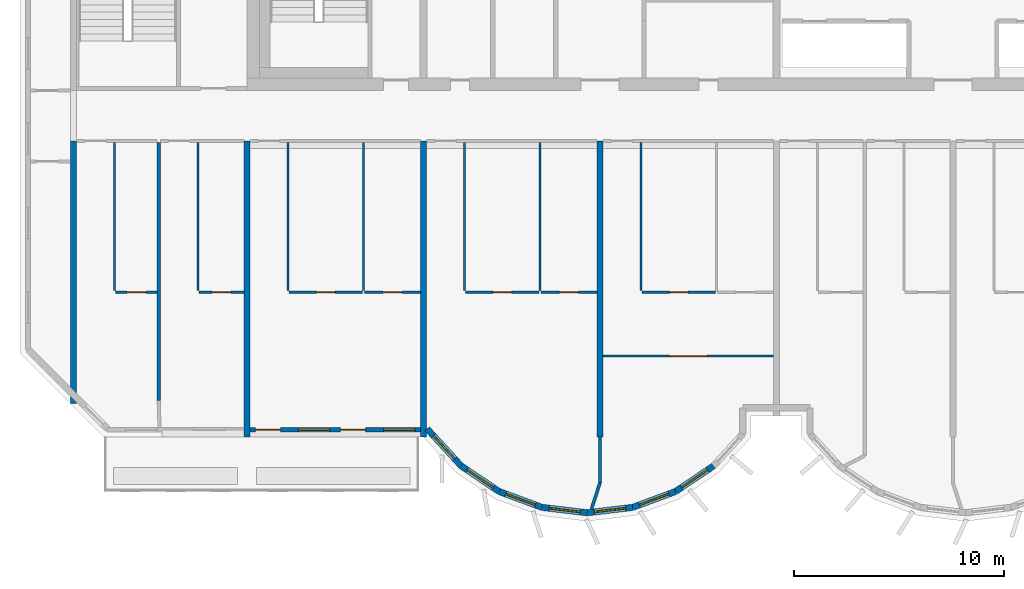
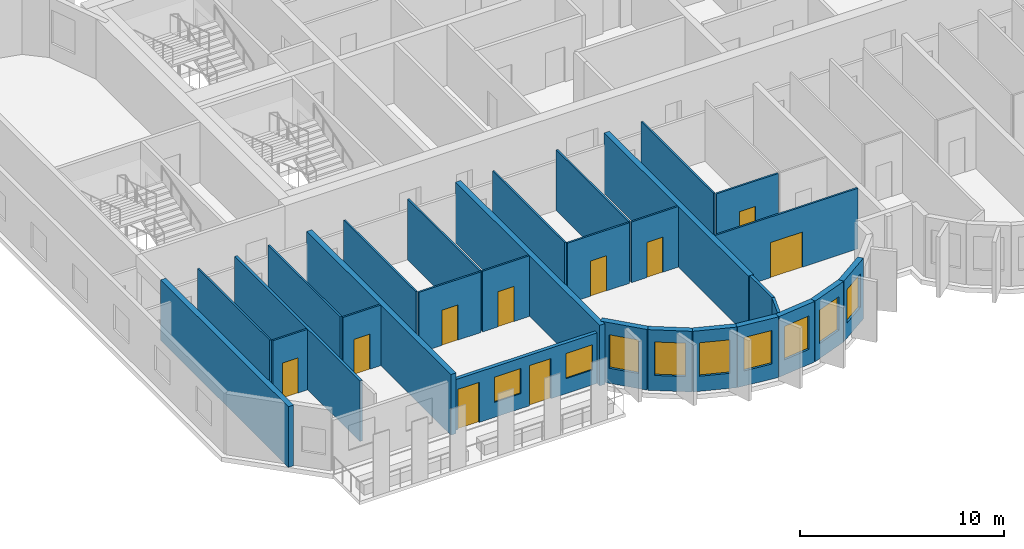
# One storey, part 2 of 11: 30 walls, 10 doors, 9 windows, 19 openings.
"""IFC4 building model written with IfcOpenShell, lengths in metres."""

from ifc_helpers import new_model, si_unit, direction, frame, frame_2d, origin, place, context, subcontext, project, spatial, rectangle, extrude, source, transform, mapped, material, layer, layer_set, type_object, element, fill, save


model = new_model("IFC4")

# Units and contexts
model_context = context("Model", 3, precision=1e-05, world=origin(), true_north=direction((0.0, 1.0)))
body_context = subcontext(model_context, "Body", "Model", "MODEL_VIEW")
ifc_project = project(units=[si_unit("LENGTHUNIT", "METRE"), si_unit("AREAUNIT", "SQUARE_METRE"), si_unit("VOLUMEUNIT", "CUBIC_METRE"), si_unit("PLANEANGLEUNIT", "RADIAN"), si_unit("MASSUNIT", "GRAM", prefix="KILO")], contexts=[model_context])

# Site, building, storey
site_placement = place(None, origin())
site = spatial("IfcSite", under=ifc_project, at=site_placement, CompositionType="ELEMENT")
building_placement = place(site_placement, origin())
building = spatial("IfcBuilding", under=site, at=building_placement, Name="Vanashikhar Sky Hotel", CompositionType="ELEMENT")
storey_placement = place(building_placement, frame((0.0, 0.0, 217.89990234375)))
storey = spatial("IfcBuildingStorey", under=building, at=storey_placement, Name="L52", CompositionType="ELEMENT", Elevation=217.89990234375)

# Walls
ifc_material_1 = material(Name="Concrete M60", Category="concrete")
ifc_layer_1 = layer(ifc_material_1, 0.300048828125)
ifc_layer_set_1 = layer_set([ifc_layer_1], Name="RC shear wall 300 Concrete M60")
wall_type_1 = type_object("IfcWallType", Name="RC shear wall 300 Concrete M60", PredefinedType="SHEAR", material=ifc_layer_set_1)
shared_shape_1 = source(origin(), body_context, "Body", "SweptSolid", [
    extrude(rectangle(XDim=12.5, YDim=0.300048828125, at=frame_2d((6.25, 0.0))), origin(), (0.0, 0.0, 1.0), 3.6201171875),
])
wall_1_placement = place(storey_placement, frame((16.949951171875, 7.10009765625, 0.0), z_axis=(0.0, 0.0, 1.0), x_axis=(0.0, 1.0, 0.0)))
element("IfcWall", 1, at=wall_1_placement, inside=storey, type_object=wall_type_1, Name="CW-L52-XW03-1", PredefinedType="SHEAR", context=body_context, shape_type="MappedRepresentation", body=[
    mapped(shared_shape_1, transform((0.0, 0.0, 0.0), scale=1.0)),
])
shared_shape_2 = source(origin(), body_context, "Body", "SweptSolid", [
    extrude(rectangle(XDim=14.10009765625, YDim=0.300048828125, at=frame_2d((7.050048828125, 0.0))), origin(), (0.0, 0.0, 1.0), 3.6201171875),
])
for number, where, z_axis, x_axis, name in (
    (2, (25.199951171875, 5.5, 0.0), (0.0, 0.0, 1.0), (0.0, 1.0, 0.0), "CW-L52-XW04-1"),
    (3, (33.60009765625, 5.5, 0.0), (0.0, 0.0, 1.0), (0.0, 1.0, 0.0), "CW-L52-XW05-1"),
    (4, (42.0, 5.5, 0.0), (0.0, 0.0, 1.0), (0.0, 1.0, 0.0), "CW-L52-XW06-1"),
):
    element("IfcWall", number, at=place(storey_placement, frame(where, z_axis=z_axis, x_axis=x_axis)), inside=storey, type_object=wall_type_1, Name=name, PredefinedType="SHEAR", context=body_context, shape_type="MappedRepresentation", body=[
        mapped(shared_shape_2, transform((0.0, 0.0, 0.0), scale=1.0)),
    ])

# Wall, openings, windows, doors
ifc_material_2 = material(Name="Concrete M50", Category="concrete")
ifc_layer_2 = layer(ifc_material_2, 0.199951171875)
ifc_layer_set_2 = layer_set([ifc_layer_2], Name="Front window wall 200")
wall_type_2 = type_object("IfcWallType", Name="Front window wall 200", PredefinedType="SOLIDWALL", material=ifc_layer_set_2)
shared_shape_3 = source(origin(), body_context, "Body", "SweptSolid", [
    extrude(rectangle(XDim=8.099853515625, YDim=0.199951171875, at=frame_2d((4.0498046875, 0.0))), origin(), (0.0, 0.0, 1.0), 3.02001953125),
])
wall_2_placement = place(storey_placement, frame((25.35009765625, 5.85009765625, 0.0), z_axis=(0.0, 0.0, 1.0), x_axis=(1.0, 0.0, 0.0)))
wall_2 = element("IfcWall", 5, at=wall_2_placement, inside=storey, type_object=wall_type_2, Name="Front window wall", PredefinedType="SOLIDWALL", context=body_context, shape_type="MappedRepresentation", body=[
    mapped(shared_shape_3, transform((0.0, 0.0, 0.0), scale=1.0)),
])
shared_shape_4 = source(origin(), body_context, "Body", "SweptSolid", [
    extrude(rectangle(XDim=1.199951171875, YDim=2.39990234375, at=frame_2d((0.60009765625, 1.199951171875))), frame((0.0, 0.10986328125, 0.0), z_axis=(0.0, -1.0, 0.0), x_axis=(1.0, 0.0, 0.0)), (0.0, 0.0, 1.0), 0.219970703125),
])
opening_1_placement = place(wall_2_placement, frame((0.25, 0.0, 0.0)))
opening_1 = element("IfcOpeningElement", 6, at=opening_1_placement, cuts=wall_2, Name="Opening BD-01", PredefinedType="OPENING", context=body_context, shape_type="MappedRepresentation", body=[
    mapped(shared_shape_4, transform((0.0, 0.0, 0.0), scale=1.0)),
])
shared_shape_5 = source(origin(), body_context, "Body", "SweptSolid", [
    extrude(rectangle(XDim=1.5, YDim=1.5, at=frame_2d((0.75, 0.75))), frame((0.0, 0.10986328125, 0.0), z_axis=(0.0, -1.0, 0.0), x_axis=(1.0, 0.0, 0.0)), (0.0, 0.0, 1.0), 0.219970703125),
])
opening_2_placement = place(wall_2_placement, frame((2.300048828125, 0.0, 0.89990234375)))
opening_2 = element("IfcOpeningElement", 7, at=opening_2_placement, cuts=wall_2, Name="Opening WN-1", PredefinedType="OPENING", context=body_context, shape_type="MappedRepresentation", body=[
    mapped(shared_shape_5, transform((0.0, 0.0, 0.0), scale=1.0)),
])
opening_3_placement = place(wall_2_placement, frame((4.300048828125, 0.0, 0.0)))
opening_3 = element("IfcOpeningElement", 8, at=opening_3_placement, cuts=wall_2, Name="Opening BD-02", PredefinedType="OPENING", context=body_context, shape_type="MappedRepresentation", body=[
    mapped(shared_shape_4, transform((0.0, 0.0, 0.0), scale=1.0)),
])
opening_4_placement = place(wall_2_placement, frame((6.35009765625, 0.0, 0.89990234375)))
opening_4 = element("IfcOpeningElement", 9, at=opening_4_placement, cuts=wall_2, Name="Opening WN-1", PredefinedType="OPENING", context=body_context, shape_type="MappedRepresentation", body=[
    mapped(shared_shape_5, transform((0.0, 0.0, 0.0), scale=1.0)),
])
ifc_material_3 = material(Name="Glass", Category="glass")
window_type_1 = type_object("IfcWindowType", Name="Window 1500 x 1500", PartitioningType="SINGLE_PANEL", PredefinedType="WINDOW", material=ifc_material_3)
shared_shape_6 = source(origin(), body_context, "Body", "SweptSolid", [
    extrude(rectangle(XDim=1.5, YDim=1.5, at=frame_2d((0.75, 0.75))), frame((0.0, 0.030029296875, 0.0), z_axis=(0.0, -1.0, 0.0), x_axis=(1.0, 0.0, 0.0)), (0.0, 0.0, 1.0), 0.06005859375),
])
window_1_placement = place(opening_2_placement, origin())
window_1 = element("IfcWindow", 10, at=window_1_placement, inside=storey, type_object=window_type_1, Name="Window WN-1", OverallHeight=1.5, OverallWidth=1.5, PartitioningType="SINGLE_PANEL", PredefinedType="WINDOW", context=body_context, shape_type="MappedRepresentation", body=[
    mapped(shared_shape_6, transform((0.0, 0.0, 0.0), scale=1.0)),
])
fill(opening_2, window_1)
window_2_placement = place(opening_4_placement, origin())
window_2 = element("IfcWindow", 11, at=window_2_placement, inside=storey, type_object=window_type_1, Name="Window WN-1", OverallHeight=1.5, OverallWidth=1.5, PartitioningType="SINGLE_PANEL", PredefinedType="WINDOW", context=body_context, shape_type="MappedRepresentation", body=[
    mapped(shared_shape_6, transform((0.0, 0.0, 0.0), scale=1.0)),
])
fill(opening_4, window_2)
ifc_material_4 = material(Name="Aluminium", Category="aluminium")
door_type_1 = type_object("IfcDoorType", Name="Balcony sliding door 1200 x 2400", OperationType="NOTDEFINED", PredefinedType="DOOR", material=ifc_material_4)
shared_shape_7 = source(origin(), body_context, "Body", "SweptSolid", [
    extrude(rectangle(XDim=1.199951171875, YDim=2.39990234375, at=frame_2d((0.60009765625, 1.199951171875))), frame((0.0, 0.02490234375, 0.0), z_axis=(0.0, -1.0, 0.0), x_axis=(1.0, 0.0, 0.0)), (0.0, 0.0, 1.0), 0.050048828125),
])
door_1_placement = place(opening_1_placement, origin())
door_1 = element("IfcDoor", 12, at=door_1_placement, inside=storey, type_object=door_type_1, Name="Balcony sliding door", OperationType="SLIDING_TO_LEFT", OverallHeight=2.39990234375, OverallWidth=1.199951171875, PredefinedType="DOOR", context=body_context, shape_type="MappedRepresentation", body=[
    mapped(shared_shape_7, transform((0.0, 0.0, 0.0), scale=1.0)),
])
fill(opening_1, door_1)
door_2_placement = place(opening_3_placement, origin())
door_2 = element("IfcDoor", 13, at=door_2_placement, inside=storey, type_object=door_type_1, Name="Balcony sliding door", OperationType="SLIDING_TO_RIGHT", OverallHeight=2.39990234375, OverallWidth=1.199951171875, PredefinedType="DOOR", context=body_context, shape_type="MappedRepresentation", body=[
    mapped(shared_shape_7, transform((0.0, 0.0, 0.0), scale=1.0)),
])
fill(opening_3, door_2)

# Wall, opening, window
ifc_layer_3 = layer(ifc_material_2, 0.300048828125)
ifc_layer_set_3 = layer_set([ifc_layer_3], Name="Lobe wall 300")
wall_type_3 = type_object("IfcWallType", Name="Lobe wall 300", PredefinedType="SOLIDWALL", material=ifc_layer_set_3)
shared_shape_8 = source(origin(), body_context, "Body", "SweptSolid", [
    extrude(rectangle(XDim=2.398193359375, YDim=0.300048828125, at=frame_2d((1.19921875, 0.0))), origin(), (0.0, 0.0, 1.0), 3.6201171875),
])
wall_3_placement = place(storey_placement, frame((33.776123046875, 5.89990234375, 0.0), z_axis=(0.0, 0.0, 1.0), x_axis=(0.675374189419, -0.737475222815, 0.0)))
wall_3 = element("IfcWall", 14, at=wall_3_placement, inside=storey, type_object=wall_type_3, Name="Lobe wall", PredefinedType="SOLIDWALL", context=body_context, shape_type="MappedRepresentation", body=[
    mapped(shared_shape_8, transform((0.0, 0.0, 0.0), scale=1.0)),
])
shared_shape_9 = source(origin(), body_context, "Body", "SweptSolid", [
    extrude(rectangle(XDim=1.5, YDim=2.0, at=frame_2d((0.75, 1.0))), frame((0.0, 0.16015625, 0.0), z_axis=(0.0, -1.0, 0.0), x_axis=(1.0, 0.0, 0.0)), (0.0, 0.0, 1.0), 0.320068359375),
])
opening_5_placement = place(wall_3_placement, frame((0.44921875, 0.0, 0.89990234375)))
opening_5 = element("IfcOpeningElement", 15, at=opening_5_placement, cuts=wall_3, Name="Opening WN-2", PredefinedType="OPENING", context=body_context, shape_type="MappedRepresentation", body=[
    mapped(shared_shape_9, transform((0.0, 0.0, 0.0), scale=1.0)),
])
window_type_2 = type_object("IfcWindowType", Name="Lobe window 1500 x 2000", PartitioningType="SINGLE_PANEL", PredefinedType="WINDOW", material=ifc_material_3)
shared_shape_10 = source(origin(), body_context, "Body", "SweptSolid", [
    extrude(rectangle(XDim=1.5, YDim=2.0, at=frame_2d((0.75, 1.0))), frame((0.0, 0.030029296875, 0.0), z_axis=(0.0, -1.0, 0.0), x_axis=(1.0, 0.0, 0.0)), (0.0, 0.0, 1.0), 0.06005859375),
])
window_3_placement = place(opening_5_placement, origin())
window_3 = element("IfcWindow", 16, at=window_3_placement, inside=storey, type_object=window_type_2, Name="Window WN-2", OverallHeight=2.0, OverallWidth=1.5, PartitioningType="SINGLE_PANEL", PredefinedType="WINDOW", context=body_context, shape_type="MappedRepresentation", body=[
    mapped(shared_shape_10, transform((0.0, 0.0, 0.0), scale=1.0)),
])
fill(opening_5, window_3)

shared_shape_11 = source(origin(), body_context, "Body", "SweptSolid", [
    extrude(rectangle(XDim=2.17578125, YDim=0.300048828125, at=frame_2d((1.087890625, 0.0))), origin(), (0.0, 0.0, 1.0), 3.6201171875),
])
wall_4_placement = place(storey_placement, frame((35.395751953125, 4.13134765625, 0.0), z_axis=(0.0, 0.0, 1.0), x_axis=(0.829590746428, -0.558371913192, 0.0)))
wall_4 = element("IfcWall", 17, at=wall_4_placement, inside=storey, type_object=wall_type_3, Name="Lobe wall", PredefinedType="SOLIDWALL", context=body_context, shape_type="MappedRepresentation", body=[
    mapped(shared_shape_11, transform((0.0, 0.0, 0.0), scale=1.0)),
])
opening_6_placement = place(wall_4_placement, frame((0.337890625, 0.0, 0.89990234375)))
opening_6 = element("IfcOpeningElement", 18, at=opening_6_placement, cuts=wall_4, Name="Opening WN-2", PredefinedType="OPENING", context=body_context, shape_type="MappedRepresentation", body=[
    mapped(shared_shape_9, transform((0.0, 0.0, 0.0), scale=1.0)),
])
window_4_placement = place(opening_6_placement, origin())
window_4 = element("IfcWindow", 19, at=window_4_placement, inside=storey, type_object=window_type_2, Name="Window WN-2", OverallHeight=2.0, OverallWidth=1.5, PartitioningType="SINGLE_PANEL", PredefinedType="WINDOW", context=body_context, shape_type="MappedRepresentation", body=[
    mapped(shared_shape_10, transform((0.0, 0.0, 0.0), scale=1.0)),
])
fill(opening_6, window_4)

wall_5_placement = place(storey_placement, frame((37.20068359375, 2.91650390625, 0.0), z_axis=(0.0, 0.0, 1.0), x_axis=(0.93754555999, -0.347862505801, 0.0)))
wall_5 = element("IfcWall", 20, at=wall_5_placement, inside=storey, type_object=wall_type_3, Name="Lobe wall", PredefinedType="SOLIDWALL", context=body_context, shape_type="MappedRepresentation", body=[
    mapped(shared_shape_11, transform((0.0, 0.0, 0.0), scale=1.0)),
])
opening_7_placement = place(wall_5_placement, frame((0.337890625, 0.0, 0.89990234375)))
opening_7 = element("IfcOpeningElement", 21, at=opening_7_placement, cuts=wall_5, Name="Opening WN-2", PredefinedType="OPENING", context=body_context, shape_type="MappedRepresentation", body=[
    mapped(shared_shape_9, transform((0.0, 0.0, 0.0), scale=1.0)),
])
window_5_placement = place(opening_7_placement, origin())
window_5 = element("IfcWindow", 22, at=window_5_placement, inside=storey, type_object=window_type_2, Name="Window WN-2", OverallHeight=2.0, OverallWidth=1.5, PartitioningType="SINGLE_PANEL", PredefinedType="WINDOW", context=body_context, shape_type="MappedRepresentation", body=[
    mapped(shared_shape_10, transform((0.0, 0.0, 0.0), scale=1.0)),
])
fill(opening_7, window_5)

wall_6_placement = place(storey_placement, frame((45.59912109375, 2.91650390625, 0.0), z_axis=(0.0, 0.0, 1.0), x_axis=(0.829625727223, 0.558319937607, 0.0)))
wall_6 = element("IfcWall", 23, at=wall_6_placement, inside=storey, type_object=wall_type_3, Name="Lobe wall", PredefinedType="SOLIDWALL", context=body_context, shape_type="MappedRepresentation", body=[
    mapped(shared_shape_11, transform((0.0, 0.0, 0.0), scale=1.0)),
])
opening_8_placement = place(wall_6_placement, frame((0.337890625, 0.0, 0.89990234375)))
opening_8 = element("IfcOpeningElement", 24, at=opening_8_placement, cuts=wall_6, Name="Opening WN-2", PredefinedType="OPENING", context=body_context, shape_type="MappedRepresentation", body=[
    mapped(shared_shape_9, transform((0.0, 0.0, 0.0), scale=1.0)),
])
window_6_placement = place(opening_8_placement, origin())
window_6 = element("IfcWindow", 25, at=window_6_placement, inside=storey, type_object=window_type_2, Name="Window WN-2", OverallHeight=2.0, OverallWidth=1.5, PartitioningType="SINGLE_PANEL", PredefinedType="WINDOW", context=body_context, shape_type="MappedRepresentation", body=[
    mapped(shared_shape_10, transform((0.0, 0.0, 0.0), scale=1.0)),
])
fill(opening_8, window_6)

shared_shape_12 = source(origin(), body_context, "Body", "SweptSolid", [
    extrude(rectangle(XDim=2.174560546875, YDim=0.300048828125, at=frame_2d((1.08740234375, 0.0))), origin(), (0.0, 0.0, 1.0), 3.6201171875),
])
wall_7_placement = place(storey_placement, frame((39.240478515625, 2.15966796875, 0.0), z_axis=(0.0, 0.0, 1.0), x_axis=(0.993001132889, -0.118104826659, 0.0)))
wall_7 = element("IfcWall", 26, at=wall_7_placement, inside=storey, type_object=wall_type_3, Name="Lobe wall", PredefinedType="SOLIDWALL", context=body_context, shape_type="MappedRepresentation", body=[
    mapped(shared_shape_12, transform((0.0, 0.0, 0.0), scale=1.0)),
])
opening_9_placement = place(wall_7_placement, frame((0.33740234375, 0.0, 0.89990234375)))
opening_9 = element("IfcOpeningElement", 27, at=opening_9_placement, cuts=wall_7, Name="Opening WN-2", PredefinedType="OPENING", context=body_context, shape_type="MappedRepresentation", body=[
    mapped(shared_shape_9, transform((0.0, 0.0, 0.0), scale=1.0)),
])
window_7_placement = place(opening_9_placement, origin())
window_7 = element("IfcWindow", 28, at=window_7_placement, inside=storey, type_object=window_type_2, Name="Window WN-2", OverallHeight=2.0, OverallWidth=1.5, PartitioningType="SINGLE_PANEL", PredefinedType="WINDOW", context=body_context, shape_type="MappedRepresentation", body=[
    mapped(shared_shape_10, transform((0.0, 0.0, 0.0), scale=1.0)),
])
fill(opening_9, window_7)

shared_shape_13 = source(origin(), body_context, "Body", "SweptSolid", [
    extrude(rectangle(XDim=2.1748046875, YDim=0.300048828125, at=frame_2d((1.08740234375, 0.0))), origin(), (0.0, 0.0, 1.0), 3.6201171875),
])
wall_8_placement = place(storey_placement, frame((41.39990234375, 1.90283203125, 0.0), z_axis=(0.0, 0.0, 1.0), x_axis=(0.993002698611, 0.118091661648, 0.0)))
wall_8 = element("IfcWall", 29, at=wall_8_placement, inside=storey, type_object=wall_type_3, Name="Lobe wall", PredefinedType="SOLIDWALL", context=body_context, shape_type="MappedRepresentation", body=[
    mapped(shared_shape_13, transform((0.0, 0.0, 0.0), scale=1.0)),
])
opening_10_placement = place(wall_8_placement, frame((0.33740234375, 0.0, 0.89990234375)))
opening_10 = element("IfcOpeningElement", 30, at=opening_10_placement, cuts=wall_8, Name="Opening WN-2", PredefinedType="OPENING", context=body_context, shape_type="MappedRepresentation", body=[
    mapped(shared_shape_9, transform((0.0, 0.0, 0.0), scale=1.0)),
])
window_8_placement = place(opening_10_placement, origin())
window_8 = element("IfcWindow", 31, at=window_8_placement, inside=storey, type_object=window_type_2, Name="Window WN-2", OverallHeight=2.0, OverallWidth=1.5, PartitioningType="SINGLE_PANEL", PredefinedType="WINDOW", context=body_context, shape_type="MappedRepresentation", body=[
    mapped(shared_shape_10, transform((0.0, 0.0, 0.0), scale=1.0)),
])
fill(opening_10, window_8)

shared_shape_14 = source(origin(), body_context, "Body", "SweptSolid", [
    extrude(rectangle(XDim=2.175537109375, YDim=0.300048828125, at=frame_2d((1.087890625, 0.0))), origin(), (0.0, 0.0, 1.0), 3.6201171875),
])
wall_9_placement = place(storey_placement, frame((43.5595703125, 2.15966796875, 0.0), z_axis=(0.0, 0.0, 1.0), x_axis=(0.937531979054, 0.347899106424, 0.0)))
wall_9 = element("IfcWall", 32, at=wall_9_placement, inside=storey, type_object=wall_type_3, Name="Lobe wall", PredefinedType="SOLIDWALL", context=body_context, shape_type="MappedRepresentation", body=[
    mapped(shared_shape_14, transform((0.0, 0.0, 0.0), scale=1.0)),
])
opening_11_placement = place(wall_9_placement, frame((0.337890625, 0.0, 0.89990234375)))
opening_11 = element("IfcOpeningElement", 33, at=opening_11_placement, cuts=wall_9, Name="Opening WN-2", PredefinedType="OPENING", context=body_context, shape_type="MappedRepresentation", body=[
    mapped(shared_shape_9, transform((0.0, 0.0, 0.0), scale=1.0)),
])
window_9_placement = place(opening_11_placement, origin())
window_9 = element("IfcWindow", 34, at=window_9_placement, inside=storey, type_object=window_type_2, Name="Window WN-2", OverallHeight=2.0, OverallWidth=1.5, PartitioningType="SINGLE_PANEL", PredefinedType="WINDOW", context=body_context, shape_type="MappedRepresentation", body=[
    mapped(shared_shape_10, transform((0.0, 0.0, 0.0), scale=1.0)),
])
fill(opening_11, window_9)

# Walls
ifc_material_5 = material(Name="Gypsum plasterboard partition")
ifc_layer_4 = layer(ifc_material_5, 0.10009765625)
ifc_layer_set_4 = layer_set([ifc_layer_4], Name="Wet room partition 100")
wall_type_4 = type_object("IfcWallType", Name="Wet room partition 100", PredefinedType="PARTITIONING", material=ifc_layer_set_4)
shared_shape_15 = source(origin(), body_context, "Body", "SweptSolid", [
    extrude(rectangle(XDim=7.0498046875, YDim=0.10009765625, at=frame_2d((3.52490234375, 0.0))), origin(), (0.0, 0.0, 1.0), 3.6201171875),
])
for number, where, z_axis, x_axis, name in (
    (35, (18.89990234375, 12.47509765625, 0.0), (0.0, 0.0, 1.0), (0.0, 1.0, 0.0), "W-L52-PW001"),
    (36, (22.875, 12.47509765625, 0.0), (0.0, 0.0, 1.0), (0.0, 1.0, 0.0), "W-L52-PW004"),
    (37, (27.14990234375, 12.47509765625, 0.0), (0.0, 0.0, 1.0), (0.0, 1.0, 0.0), "W-L52-PW008"),
    (38, (30.75, 12.47509765625, 0.0), (0.0, 0.0, 1.0), (0.0, 1.0, 0.0), "W-L52-PW009"),
    (39, (35.550048828125, 12.47509765625, 0.0), (0.0, 0.0, 1.0), (0.0, 1.0, 0.0), "W-L52-PW013"),
    (40, (39.14990234375, 12.47509765625, 0.0), (0.0, 0.0, 1.0), (0.0, 1.0, 0.0), "W-L52-PW014"),
    (41, (43.949951171875, 12.47509765625, 0.0), (0.0, 0.0, 1.0), (0.0, 1.0, 0.0), "W-L52-PW018"),
):
    element("IfcWall", number, at=place(storey_placement, frame(where, z_axis=z_axis, x_axis=x_axis)), inside=storey, type_object=wall_type_4, Name=name, PredefinedType="PARTITIONING", context=body_context, shape_type="MappedRepresentation", body=[
        mapped(shared_shape_15, transform((0.0, 0.0, 0.0), scale=1.0)),
    ])

# Wall, opening, door
shared_shape_16 = source(origin(), body_context, "Body", "SweptSolid", [
    extrude(rectangle(XDim=1.97509765625, YDim=0.10009765625, at=frame_2d((0.987548828125, 0.0))), origin(), (0.0, 0.0, 1.0), 3.6201171875),
])
wall_10_placement = place(storey_placement, frame((18.949951171875, 12.39990234375, 0.0), z_axis=(0.0, 0.0, 1.0), x_axis=(1.0, 0.0, 0.0)))
wall_10 = element("IfcWall", 42, at=wall_10_placement, inside=storey, type_object=wall_type_4, Name="W-L52-PW002", PredefinedType="PARTITIONING", context=body_context, shape_type="MappedRepresentation", body=[
    mapped(shared_shape_16, transform((0.0, 0.0, 0.0), scale=1.0)),
])
shared_shape_17 = source(origin(), body_context, "Body", "SweptSolid", [
    extrude(rectangle(XDim=0.89990234375, YDim=2.10009765625, at=frame_2d((0.449951171875, 1.050048828125))), frame((0.0, 0.06005859375, 0.0), z_axis=(0.0, -1.0, 0.0), x_axis=(1.0, 0.0, 0.0)), (0.0, 0.0, 1.0), 0.1201171875),
])
opening_12_placement = place(wall_10_placement, frame((0.5380859375, 0.0, 0.0)))
opening_12 = element("IfcOpeningElement", 43, at=opening_12_placement, cuts=wall_10, Name="Opening D-02", PredefinedType="OPENING", context=body_context, shape_type="MappedRepresentation", body=[
    mapped(shared_shape_17, transform((0.0, 0.0, 0.0), scale=1.0)),
])
ifc_material_6 = material(Name="Timber door", Category="wood")
door_type_2 = type_object("IfcDoorType", Name="Internal door 900", OperationType="NOTDEFINED", PredefinedType="DOOR", material=ifc_material_6)
shared_shape_18 = source(origin(), body_context, "Body", "SweptSolid", [
    extrude(rectangle(XDim=0.89990234375, YDim=2.10009765625, at=frame_2d((0.449951171875, 1.050048828125))), frame((0.0, 0.02490234375, 0.0), z_axis=(0.0, -1.0, 0.0), x_axis=(1.0, 0.0, 0.0)), (0.0, 0.0, 1.0), 0.050048828125),
])
door_3_placement = place(opening_12_placement, origin())
door_3 = element("IfcDoor", 44, at=door_3_placement, inside=storey, type_object=door_type_2, Name="D-L52-001", OperationType="SINGLE_SWING_LEFT", OverallHeight=2.10009765625, OverallWidth=0.89990234375, PredefinedType="DOOR", context=body_context, shape_type="MappedRepresentation", body=[
    mapped(shared_shape_18, transform((0.0, 0.0, 0.0), scale=1.0)),
])
fill(opening_12, door_3)

shared_shape_19 = source(origin(), body_context, "Body", "SweptSolid", [
    extrude(rectangle(XDim=2.125, YDim=0.10009765625, at=frame_2d((1.0625, 0.0))), origin(), (0.0, 0.0, 1.0), 3.6201171875),
])
wall_11_placement = place(storey_placement, frame((22.925048828125, 12.39990234375, 0.0), z_axis=(0.0, 0.0, 1.0), x_axis=(1.0, 0.0, 0.0)))
wall_11 = element("IfcWall", 45, at=wall_11_placement, inside=storey, type_object=wall_type_4, Name="W-L52-PW005", PredefinedType="PARTITIONING", context=body_context, shape_type="MappedRepresentation", body=[
    mapped(shared_shape_19, transform((0.0, 0.0, 0.0), scale=1.0)),
])
opening_13_placement = place(wall_11_placement, frame((0.613037109375, 0.0, 0.0)))
opening_13 = element("IfcOpeningElement", 46, at=opening_13_placement, cuts=wall_11, Name="Opening D-02", PredefinedType="OPENING", context=body_context, shape_type="MappedRepresentation", body=[
    mapped(shared_shape_17, transform((0.0, 0.0, 0.0), scale=1.0)),
])
door_4_placement = place(opening_13_placement, origin())
door_4 = element("IfcDoor", 47, at=door_4_placement, inside=storey, type_object=door_type_2, Name="D-L52-003", OperationType="SINGLE_SWING_LEFT", OverallHeight=2.10009765625, OverallWidth=0.89990234375, PredefinedType="DOOR", context=body_context, shape_type="MappedRepresentation", body=[
    mapped(shared_shape_18, transform((0.0, 0.0, 0.0), scale=1.0)),
])
fill(opening_13, door_4)

# Wall
ifc_layer_5 = layer(ifc_material_5, 0.14990234375)
ifc_layer_set_5 = layer_set([ifc_layer_5], Name="Corridor and demising partition 150")
wall_type_5 = type_object("IfcWallType", Name="Corridor and demising partition 150", PredefinedType="PARTITIONING", material=ifc_layer_set_5)
shared_shape_20 = source(origin(), body_context, "Body", "SweptSolid", [
    extrude(rectangle(XDim=12.27490234375, YDim=0.14990234375, at=frame_2d((6.137451171875, 0.0))), origin(), (0.0, 0.0, 1.0), 3.6201171875),
])
wall_12_placement = place(storey_placement, frame((21.0, 7.25, 0.0), z_axis=(0.0, 0.0, 1.0), x_axis=(0.0, 1.0, 0.0)))
element("IfcWall", 48, at=wall_12_placement, inside=storey, type_object=wall_type_5, Name="W-L52-PW007", PredefinedType="PARTITIONING", context=body_context, shape_type="MappedRepresentation", body=[
    mapped(shared_shape_20, transform((0.0, 0.0, 0.0), scale=1.0)),
])

# Wall, opening, door
shared_shape_21 = source(origin(), body_context, "Body", "SweptSolid", [
    extrude(rectangle(XDim=3.5, YDim=0.10009765625, at=frame_2d((1.75, 0.0))), origin(), (0.0, 0.0, 1.0), 3.6201171875),
])
wall_13_placement = place(storey_placement, frame((27.199951171875, 12.39990234375, 0.0), z_axis=(0.0, 0.0, 1.0), x_axis=(1.0, 0.0, 0.0)))
wall_13 = element("IfcWall", 49, at=wall_13_placement, inside=storey, type_object=wall_type_4, Name="W-L52-PW010", PredefinedType="PARTITIONING", context=body_context, shape_type="MappedRepresentation", body=[
    mapped(shared_shape_21, transform((0.0, 0.0, 0.0), scale=1.0)),
])
opening_14_placement = place(wall_13_placement, frame((1.300048828125, 0.0, 0.0)))
opening_14 = element("IfcOpeningElement", 50, at=opening_14_placement, cuts=wall_13, Name="Opening D-02", PredefinedType="OPENING", context=body_context, shape_type="MappedRepresentation", body=[
    mapped(shared_shape_17, transform((0.0, 0.0, 0.0), scale=1.0)),
])
door_5_placement = place(opening_14_placement, origin())
door_5 = element("IfcDoor", 51, at=door_5_placement, inside=storey, type_object=door_type_2, Name="D-L52-005", OperationType="SINGLE_SWING_LEFT", OverallHeight=2.10009765625, OverallWidth=0.89990234375, PredefinedType="DOOR", context=body_context, shape_type="MappedRepresentation", body=[
    mapped(shared_shape_18, transform((0.0, 0.0, 0.0), scale=1.0)),
])
fill(opening_14, door_5)

wall_14_placement = place(storey_placement, frame((35.60009765625, 12.39990234375, 0.0), z_axis=(0.0, 0.0, 1.0), x_axis=(1.0, 0.0, 0.0)))
wall_14 = element("IfcWall", 52, at=wall_14_placement, inside=storey, type_object=wall_type_4, Name="W-L52-PW015", PredefinedType="PARTITIONING", context=body_context, shape_type="MappedRepresentation", body=[
    mapped(shared_shape_21, transform((0.0, 0.0, 0.0), scale=1.0)),
])
opening_15_placement = place(wall_14_placement, frame((1.300048828125, 0.0, 0.0)))
opening_15 = element("IfcOpeningElement", 53, at=opening_15_placement, cuts=wall_14, Name="Opening D-02", PredefinedType="OPENING", context=body_context, shape_type="MappedRepresentation", body=[
    mapped(shared_shape_17, transform((0.0, 0.0, 0.0), scale=1.0)),
])
door_6_placement = place(opening_15_placement, origin())
door_6 = element("IfcDoor", 54, at=door_6_placement, inside=storey, type_object=door_type_2, Name="D-L52-008", OperationType="SINGLE_SWING_LEFT", OverallHeight=2.10009765625, OverallWidth=0.89990234375, PredefinedType="DOOR", context=body_context, shape_type="MappedRepresentation", body=[
    mapped(shared_shape_18, transform((0.0, 0.0, 0.0), scale=1.0)),
])
fill(opening_15, door_6)

wall_15_placement = place(storey_placement, frame((44.0, 12.39990234375, 0.0), z_axis=(0.0, 0.0, 1.0), x_axis=(1.0, 0.0, 0.0)))
wall_15 = element("IfcWall", 55, at=wall_15_placement, inside=storey, type_object=wall_type_4, Name="W-L52-PW020", PredefinedType="PARTITIONING", context=body_context, shape_type="MappedRepresentation", body=[
    mapped(shared_shape_21, transform((0.0, 0.0, 0.0), scale=1.0)),
])
opening_16_placement = place(wall_15_placement, frame((1.300048828125, 0.0, 0.0)))
opening_16 = element("IfcOpeningElement", 56, at=opening_16_placement, cuts=wall_15, Name="Opening D-02", PredefinedType="OPENING", context=body_context, shape_type="MappedRepresentation", body=[
    mapped(shared_shape_17, transform((0.0, 0.0, 0.0), scale=1.0)),
])
door_7_placement = place(opening_16_placement, origin())
door_7 = element("IfcDoor", 57, at=door_7_placement, inside=storey, type_object=door_type_2, Name="D-L52-011", OperationType="SINGLE_SWING_LEFT", OverallHeight=2.10009765625, OverallWidth=0.89990234375, PredefinedType="DOOR", context=body_context, shape_type="MappedRepresentation", body=[
    mapped(shared_shape_18, transform((0.0, 0.0, 0.0), scale=1.0)),
])
fill(opening_16, door_7)

shared_shape_22 = source(origin(), body_context, "Body", "SweptSolid", [
    extrude(rectangle(XDim=2.64990234375, YDim=0.10009765625, at=frame_2d((1.324951171875, 0.0))), origin(), (0.0, 0.0, 1.0), 3.6201171875),
])
wall_16_placement = place(storey_placement, frame((30.800048828125, 12.39990234375, 0.0), z_axis=(0.0, 0.0, 1.0), x_axis=(1.0, 0.0, 0.0)))
wall_16 = element("IfcWall", 58, at=wall_16_placement, inside=storey, type_object=wall_type_4, Name="W-L52-PW011", PredefinedType="PARTITIONING", context=body_context, shape_type="MappedRepresentation", body=[
    mapped(shared_shape_22, transform((0.0, 0.0, 0.0), scale=1.0)),
])
opening_17_placement = place(wall_16_placement, frame((0.875, 0.0, 0.0)))
opening_17 = element("IfcOpeningElement", 59, at=opening_17_placement, cuts=wall_16, Name="Opening D-02", PredefinedType="OPENING", context=body_context, shape_type="MappedRepresentation", body=[
    mapped(shared_shape_17, transform((0.0, 0.0, 0.0), scale=1.0)),
])
door_8_placement = place(opening_17_placement, origin())
door_8 = element("IfcDoor", 60, at=door_8_placement, inside=storey, type_object=door_type_2, Name="D-L52-006", OperationType="SINGLE_SWING_LEFT", OverallHeight=2.10009765625, OverallWidth=0.89990234375, PredefinedType="DOOR", context=body_context, shape_type="MappedRepresentation", body=[
    mapped(shared_shape_18, transform((0.0, 0.0, 0.0), scale=1.0)),
])
fill(opening_17, door_8)

shared_shape_23 = source(origin(), body_context, "Body", "SweptSolid", [
    extrude(rectangle(XDim=2.650146484375, YDim=0.10009765625, at=frame_2d((1.3251953125, 0.0))), origin(), (0.0, 0.0, 1.0), 3.6201171875),
])
wall_17_placement = place(storey_placement, frame((39.199951171875, 12.39990234375, 0.0), z_axis=(0.0, 0.0, 1.0), x_axis=(1.0, 0.0, 0.0)))
wall_17 = element("IfcWall", 61, at=wall_17_placement, inside=storey, type_object=wall_type_4, Name="W-L52-PW016", PredefinedType="PARTITIONING", context=body_context, shape_type="MappedRepresentation", body=[
    mapped(shared_shape_23, transform((0.0, 0.0, 0.0), scale=1.0)),
])
opening_18_placement = place(wall_17_placement, frame((0.875, 0.0, 0.0)))
opening_18 = element("IfcOpeningElement", 62, at=opening_18_placement, cuts=wall_17, Name="Opening D-02", PredefinedType="OPENING", context=body_context, shape_type="MappedRepresentation", body=[
    mapped(shared_shape_17, transform((0.0, 0.0, 0.0), scale=1.0)),
])
door_9_placement = place(opening_18_placement, origin())
door_9 = element("IfcDoor", 63, at=door_9_placement, inside=storey, type_object=door_type_2, Name="D-L52-009", OperationType="SINGLE_SWING_LEFT", OverallHeight=2.10009765625, OverallWidth=0.89990234375, PredefinedType="DOOR", context=body_context, shape_type="MappedRepresentation", body=[
    mapped(shared_shape_18, transform((0.0, 0.0, 0.0), scale=1.0)),
])
fill(opening_18, door_9)

shared_shape_24 = source(origin(), body_context, "Body", "SweptSolid", [
    extrude(rectangle(XDim=8.10009765625, YDim=0.10009765625, at=frame_2d((4.050048828125, 0.0))), origin(), (0.0, 0.0, 1.0), 3.6201171875),
])
wall_18_placement = place(storey_placement, frame((42.14990234375, 9.362060546875, 0.0), z_axis=(0.0, 0.0, 1.0), x_axis=(1.0, 0.0, 0.0)))
wall_18 = element("IfcWall", 64, at=wall_18_placement, inside=storey, type_object=wall_type_4, Name="W-L52-PW022", PredefinedType="PARTITIONING", context=body_context, shape_type="MappedRepresentation", body=[
    mapped(shared_shape_24, transform((0.0, 0.0, 0.0), scale=1.0)),
])
shared_shape_25 = source(origin(), body_context, "Body", "SweptSolid", [
    extrude(rectangle(XDim=1.800048828125, YDim=2.10009765625, at=frame_2d((0.89990234375, 1.050048828125))), frame((0.0, 0.06005859375, 0.0), z_axis=(0.0, -1.0, 0.0), x_axis=(1.0, 0.0, 0.0)), (0.0, 0.0, 1.0), 0.1201171875),
])
opening_19_placement = place(wall_18_placement, frame((3.14990234375, 0.0, 0.0)))
opening_19 = element("IfcOpeningElement", 65, at=opening_19_placement, cuts=wall_18, Name="Opening D-08", PredefinedType="OPENING", context=body_context, shape_type="MappedRepresentation", body=[
    mapped(shared_shape_25, transform((0.0, 0.0, 0.0), scale=1.0)),
])
door_type_3 = type_object("IfcDoorType", Name="Double leaf door 1800", OperationType="NOTDEFINED", PredefinedType="DOOR", material=ifc_material_6)
shared_shape_26 = source(origin(), body_context, "Body", "SweptSolid", [
    extrude(rectangle(XDim=1.800048828125, YDim=2.10009765625, at=frame_2d((0.89990234375, 1.050048828125))), frame((0.0, 0.02490234375, 0.0), z_axis=(0.0, -1.0, 0.0), x_axis=(1.0, 0.0, 0.0)), (0.0, 0.0, 1.0), 0.050048828125),
])
door_10_placement = place(opening_19_placement, origin())
door_10 = element("IfcDoor", 66, at=door_10_placement, inside=storey, type_object=door_type_3, Name="D-L52-013", OperationType="DOUBLE_DOOR_SINGLE_SWING", OverallHeight=2.10009765625, OverallWidth=1.800048828125, PredefinedType="DOOR", context=body_context, shape_type="MappedRepresentation", body=[
    mapped(shared_shape_26, transform((0.0, 0.0, 0.0), scale=1.0)),
])
fill(opening_19, door_10)

# Walls
shared_shape_27 = source(origin(), body_context, "Body", "SweptSolid", [
    extrude(rectangle(XDim=2.177978515625, YDim=0.14990234375, at=frame_2d((1.0888671875, 0.0))), origin(), (0.0, 0.0, 1.0), 3.6201171875),
])
wall_19_placement = place(storey_placement, frame((42.0, 3.322021484375, 0.0), z_axis=(0.0, 0.0, 1.0), x_axis=(0.0, 1.0, 0.0)))
element("IfcWall", 67, at=wall_19_placement, inside=storey, type_object=wall_type_5, Name="W-L52-PW050", PredefinedType="PARTITIONING", context=body_context, shape_type="MappedRepresentation", body=[
    mapped(shared_shape_27, transform((0.0, 0.0, 0.0), scale=1.0)),
])
shared_shape_28 = source(origin(), body_context, "Body", "SweptSolid", [
    extrude(rectangle(XDim=1.308349609375, YDim=0.14990234375, at=frame_2d((0.654296875, 0.0))), origin(), (0.0, 0.0, 1.0), 3.6201171875),
])
wall_20_placement = place(storey_placement, frame((41.597900390625, 2.076904296875, 0.0), z_axis=(0.0, 0.0, 1.0), x_axis=(0.307313512187, 0.951608325535, 0.0)))
element("IfcWall", 68, at=wall_20_placement, inside=storey, type_object=wall_type_5, Name="W-L52-PW050B0", PredefinedType="PARTITIONING", context=body_context, shape_type="MappedRepresentation", body=[
    mapped(shared_shape_28, transform((0.0, 0.0, 0.0), scale=1.0)),
])

save(model, "model.ifc")
